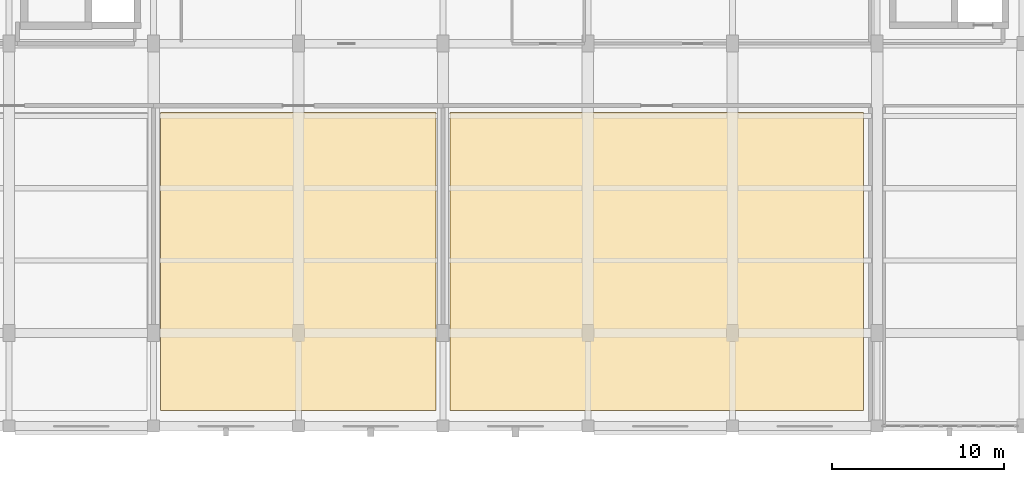
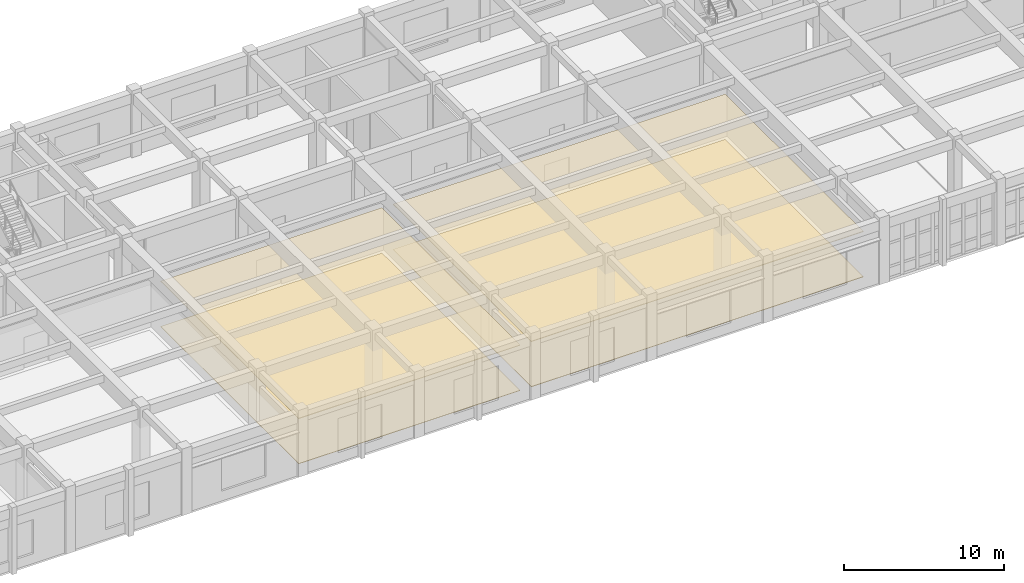
# One storey, part 103 of 106: 4 coverings.
"""IFC4 building model written with IfcOpenShell, lengths in metres."""

import ifcopenshell
import ifcopenshell.guid

model = None  # the IFC model being written
_history = None  # IfcOwnerHistory: only IFC2X3 demands one
_inside = {}  # id of a spatial element -> (the spatial element, [elements in it])
_under = {}  # id of a project, library or spatial element -> (it, [spatial elements below it])
_declared = {}  # id of a project -> (the project, [libraries it declares])
_typed = {}  # id of a type object -> (the type object, [elements of that type])
_made_of = {}  # id of a material, layer set ... -> (it, [elements and type objects made of it])


def new_model(schema):
    """Start an empty IFC model of exactly this schema.

    Asked for "IFC4X3", IfcOpenShell would pick the latest addendum, in which some entities
    have other attributes; the version numbers below select the first issue.
    IFC2X3 requires an IfcOwnerHistory on every rooted entity: one is made here for all.
    """
    global model, _history
    if schema == "IFC4X3":
        model = ifcopenshell.file(schema_version=(4, 3, 0, 0))
    else:
        model = ifcopenshell.file(schema=schema)
    _inside.clear()
    _under.clear()
    _declared.clear()
    _typed.clear()
    _made_of.clear()
    _history = None
    if model.schema == "IFC2X3":
        org = make("IfcOrganization", Name="unknown")
        user = make(
            "IfcPersonAndOrganization",
            ThePerson=make("IfcPerson", FamilyName="unknown"),
            TheOrganization=org,
        )
        app = make(
            "IfcApplication",
            ApplicationDeveloper=org,
            Version="unknown",
            ApplicationFullName="unknown",
            ApplicationIdentifier="unknown",
        )
        _history = make(
            "IfcOwnerHistory",
            OwningUser=user,
            OwningApplication=app,
            ChangeAction="ADDED",
            CreationDate=0,
        )
    return model


def make(cls, **values):
    """One entity of the class cls with the attributes given. An attribute that is None is left unset."""
    return model.create_entity(
        cls, **{name: value for name, value in values.items() if value is not None}
    )


def rooted(cls, **values):
    """An entity with a GlobalId (a new one), such as an element, a storey or a relation."""
    return make(cls, GlobalId=ifcopenshell.guid.new(), OwnerHistory=_history, **values)


def si_unit(unit_type, name, prefix=None):
    """IfcSIUnit, for example si_unit("LENGTHUNIT", "METRE", prefix="MILLI")."""
    return make("IfcSIUnit", UnitType=unit_type, Prefix=prefix, Name=name)


def assignment(units):
    """IfcUnitAssignment: the units of a project."""
    return None if units is None else make("IfcUnitAssignment", Units=units)


def point(xyz):
    """IfcCartesianPoint."""
    return None if xyz is None else make("IfcCartesianPoint", Coordinates=xyz)


def direction(xyz):
    """IfcDirection."""
    return None if xyz is None else make("IfcDirection", DirectionRatios=xyz)


def frame(location, z_axis=None, x_axis=None):
    """IfcAxis2Placement3D, a coordinate frame: its origin and axes. An axis left out is left unset."""
    return make(
        "IfcAxis2Placement3D",
        Location=point(location),
        Axis=direction(z_axis),
        RefDirection=direction(x_axis),
    )


def origin():
    """The frame at (0, 0, 0) with its axes left unset."""
    return frame((0.0, 0.0, 0.0))


def place(relative_to, where):
    """IfcLocalPlacement: puts the frame where relative to a parent placement (None: the world)."""
    return make(
        "IfcLocalPlacement", PlacementRelTo=relative_to, RelativePlacement=where
    )


def context(
    kind, dimensions, precision=None, world=None, true_north=None, identifier=None
):
    """IfcGeometricRepresentationContext, for example the 3D "Model" context."""
    return make(
        "IfcGeometricRepresentationContext",
        ContextIdentifier=identifier,
        ContextType=kind,
        CoordinateSpaceDimension=dimensions,
        Precision=precision,
        WorldCoordinateSystem=world,
        TrueNorth=true_north,
    )


def subcontext(parent, identifier, kind, view, scale=None):
    """IfcGeometricRepresentationSubContext, for example "Body" below "Model"."""
    return make(
        "IfcGeometricRepresentationSubContext",
        ContextIdentifier=identifier,
        ContextType=kind,
        ParentContext=parent,
        TargetScale=scale,
        TargetView=view,
    )


def project(units=None, contexts=None):
    """IfcProject with its units and contexts."""
    return rooted(
        "IfcProject",
        Name="project",
        RepresentationContexts=contexts,
        UnitsInContext=assignment(units),
    )


def spatial(cls, under=None, at=None, **own):
    """A site, building, storey or space (cls), placed at a placement, below another one or the project."""
    s = rooted(cls, ObjectPlacement=at, **own)
    if under is not None:
        _under.setdefault(under.id(), (under, []))[1].append(s)
    return s


def polyline(points):
    """IfcPolyline through the points."""
    return make("IfcPolyline", Points=[point(p) for p in points])


def outline(outer, holes=None, kind="AREA"):
    """IfcArbitraryClosedProfileDef: a profile drawn as a closed curve; with holes, ...WithVoids."""
    if holes is None:
        return make("IfcArbitraryClosedProfileDef", ProfileType=kind, OuterCurve=outer)
    return make(
        "IfcArbitraryProfileDefWithVoids",
        ProfileType=kind,
        OuterCurve=outer,
        InnerCurves=holes,
    )


def extrude(swept, where, along, depth):
    """IfcExtrudedAreaSolid: the profile swept, set in the frame where, extruded along a direction by depth."""
    return make(
        "IfcExtrudedAreaSolid",
        SweptArea=swept,
        Position=where,
        ExtrudedDirection=direction(along),
        Depth=depth,
    )


def shape(context_of_items, identifier, shape_type, items):
    """IfcShapeRepresentation: the items that make up one representation, for example the "Body"."""
    return make(
        "IfcShapeRepresentation",
        ContextOfItems=context_of_items,
        RepresentationIdentifier=identifier,
        RepresentationType=shape_type,
        Items=items,
    )


def material(Name=None, Category=None):
    """IfcMaterial."""
    return make("IfcMaterial", Name=Name, Category=Category)


def layer(
    of_material, thickness, ventilated=None, Name=None, Category=None, Priority=None
):
    """IfcMaterialLayer: one layer of a wall or slab, of a material (None: an air gap)."""
    return make(
        "IfcMaterialLayer",
        Material=of_material,
        LayerThickness=thickness,
        IsVentilated=ventilated,
        Name=Name,
        Category=Category,
        Priority=Priority,
    )


def layer_set(layers, Name=None):
    """IfcMaterialLayerSet."""
    return make("IfcMaterialLayerSet", MaterialLayers=layers, LayerSetName=Name)


def made_of(thing, what):
    """Note that an element or type object is made of a material, layer set ...; save() writes the relation."""
    if what is not None:
        _made_of.setdefault(what.id(), (what, []))[1].append(thing)
    return thing


def type_object(cls, material=None, **own):
    """A type object (cls), such as IfcWallType, which elements share."""
    return made_of(rooted(cls, **own), material)


def element(
    cls,
    number,
    at=None,
    inside=None,
    cuts=None,
    type_object=None,
    material=None,
    context=None,
    identifier="Body",
    shape_type=None,
    held_by="IfcProductDefinitionShape",
    body=None,
    shapes=None,
    **own,
):
    """One element of the class cls, such as IfcWall. Its Tag is "e" and its number.

    at: its placement. inside: the storey or other place that contains it. cuts: it is an
    opening in that element (IfcRelVoidsElement). A single representation is given by context,
    identifier, shape_type and body (its items); several are given by shapes. held_by: the class
    of the entity that holds the representations. save() writes the other relations.
    """
    e = rooted(cls, Tag="e%d" % number, ObjectPlacement=at, **own)
    if body is not None:
        shapes = [shape(context, identifier, shape_type, body)]
    if shapes is not None:
        e.Representation = make(held_by, Representations=shapes)
    if inside is not None:
        _inside.setdefault(inside.id(), (inside, []))[1].append(e)
    if cuts is not None:
        rooted(
            "IfcRelVoidsElement", RelatingBuildingElement=cuts, RelatedOpeningElement=e
        )
    if type_object is not None:
        _typed.setdefault(type_object.id(), (type_object, []))[1].append(e)
    return made_of(e, material)


def aggregate(whole, parts):
    """IfcRelAggregates: a whole, such as a stair, and the parts it consists of."""
    return rooted("IfcRelAggregates", RelatingObject=whole, RelatedObjects=parts)


def save(model, path):
    """Write the relations noted so far, then the file.

    IfcRelAggregates (storeys below a building ...), IfcRelContainedInSpatialStructure (elements
    in a storey), IfcRelDefinesByType, IfcRelAssociatesMaterial and IfcRelDeclares: one each for
    every whole, place, type object, material and project.
    """
    for whole, parts in _under.values():
        aggregate(whole, parts)
    for where, things in _inside.values():
        rooted(
            "IfcRelContainedInSpatialStructure",
            RelatedElements=things,
            RelatingStructure=where,
        )
    for kind, things in _typed.values():
        rooted("IfcRelDefinesByType", RelatedObjects=things, RelatingType=kind)
    for what, things in _made_of.values():
        rooted("IfcRelAssociatesMaterial", RelatedObjects=things, RelatingMaterial=what)
    for by, libraries in _declared.values():
        rooted("IfcRelDeclares", RelatingContext=by, RelatedDefinitions=libraries)
    model.write(path)


model = new_model("IFC4")

# Units and contexts
model_context = context("Model", 3, precision=1e-05, world=origin(), true_north=direction((0.0, 1.0)))
body_context = subcontext(model_context, "Body", "Model", "MODEL_VIEW")
ifc_project = project(units=[si_unit("LENGTHUNIT", "METRE"), si_unit("AREAUNIT", "SQUARE_METRE"), si_unit("VOLUMEUNIT", "CUBIC_METRE"), si_unit("PLANEANGLEUNIT", "RADIAN"), si_unit("MASSUNIT", "GRAM", prefix="KILO")], contexts=[model_context])

# Site, building, storey
site_placement = place(None, origin())
site = spatial("IfcSite", under=ifc_project, at=site_placement, CompositionType="ELEMENT")
building_placement = place(site_placement, origin())
building = spatial("IfcBuilding", under=site, at=building_placement, Name="Krzemoval Escarpment Law Courts", CompositionType="ELEMENT")
storey_placement = place(building_placement, frame((0.0, 0.0, 5.10009765625)))
storey = spatial("IfcBuildingStorey", under=building, at=storey_placement, Name="L01", CompositionType="ELEMENT", Elevation=5.10009765625)

# Coverings
ifc_material_1 = material(Name="Micro-Perforated Acoustic Timber and Mineral Fibre Ceiling", Category="wood")
ifc_layer_1 = layer(ifc_material_1, 0.044921875)
ifc_layer_set_1 = layer_set([ifc_layer_1], Name="Micro-Perforated Acoustic Timber and Mineral Fibre Ceiling")
covering_type_1 = type_object("IfcCoveringType", Name="COV-CLG-AC60", PredefinedType="CEILING", material=ifc_layer_set_1)
covering_1_placement = place(storey_placement, frame((0.0, 0.0, 3.449951171875)))
element("IfcCovering", 1, at=covering_1_placement, inside=storey, type_object=covering_type_1, Name="Acoustic Courtroom Ceiling CLG-L01-13", PredefinedType="CEILING", context=body_context, shape_type="SweptSolid", body=[
    extrude(outline(polyline([(67.60009765625, 0.89990234375), (67.60009765625, 18.199951171875), (83.60009765625, 18.199951171875), (83.60009765625, 0.89990234375), (67.60009765625, 0.89990234375)])), origin(), (0.0, 0.0, 1.0), 0.044921875),
])
covering_2_placement = place(storey_placement, frame((0.0, 0.0, 3.449951171875)))
element("IfcCovering", 2, at=covering_2_placement, inside=storey, type_object=covering_type_1, Name="Acoustic Courtroom Ceiling CLG-L01-14", PredefinedType="CEILING", context=body_context, shape_type="SweptSolid", body=[
    extrude(outline(polyline([(84.39990234375, 0.89990234375), (84.39990234375, 18.199951171875), (108.39990234375, 18.199951171875), (108.39990234375, 0.89990234375), (84.39990234375, 0.89990234375)])), origin(), (0.0, 0.0, 1.0), 0.044921875),
])
ifc_material_2 = material(Name="Honed Silesian Granite Stone Flooring", Category="masonry")
ifc_layer_2 = layer(ifc_material_2, 0.030029296875)
ifc_layer_set_2 = layer_set([ifc_layer_2], Name="Honed Silesian Granite Stone Flooring")
covering_type_2 = type_object("IfcCoveringType", Name="COV-FLR-STN30", PredefinedType="FLOORING", material=ifc_layer_set_2)
covering_3_placement = place(storey_placement, origin())
element("IfcCovering", 3, at=covering_3_placement, inside=storey, type_object=covering_type_2, Name="Stone Floor Finish FLR-L01-13", PredefinedType="FLOORING", context=body_context, shape_type="SweptSolid", body=[
    extrude(outline(polyline([(67.60009765625, 0.89990234375), (67.60009765625, 18.199951171875), (83.60009765625, 18.199951171875), (83.60009765625, 0.89990234375), (67.60009765625, 0.89990234375)])), origin(), (0.0, 0.0, 1.0), 0.02978515625),
])
covering_4_placement = place(storey_placement, origin())
element("IfcCovering", 4, at=covering_4_placement, inside=storey, type_object=covering_type_2, Name="Stone Floor Finish FLR-L01-14", PredefinedType="FLOORING", context=body_context, shape_type="SweptSolid", body=[
    extrude(outline(polyline([(84.39990234375, 0.89990234375), (84.39990234375, 18.199951171875), (108.39990234375, 18.199951171875), (108.39990234375, 0.89990234375), (84.39990234375, 0.89990234375)])), origin(), (0.0, 0.0, 1.0), 0.02978515625),
])

save(model, "model.ifc")
